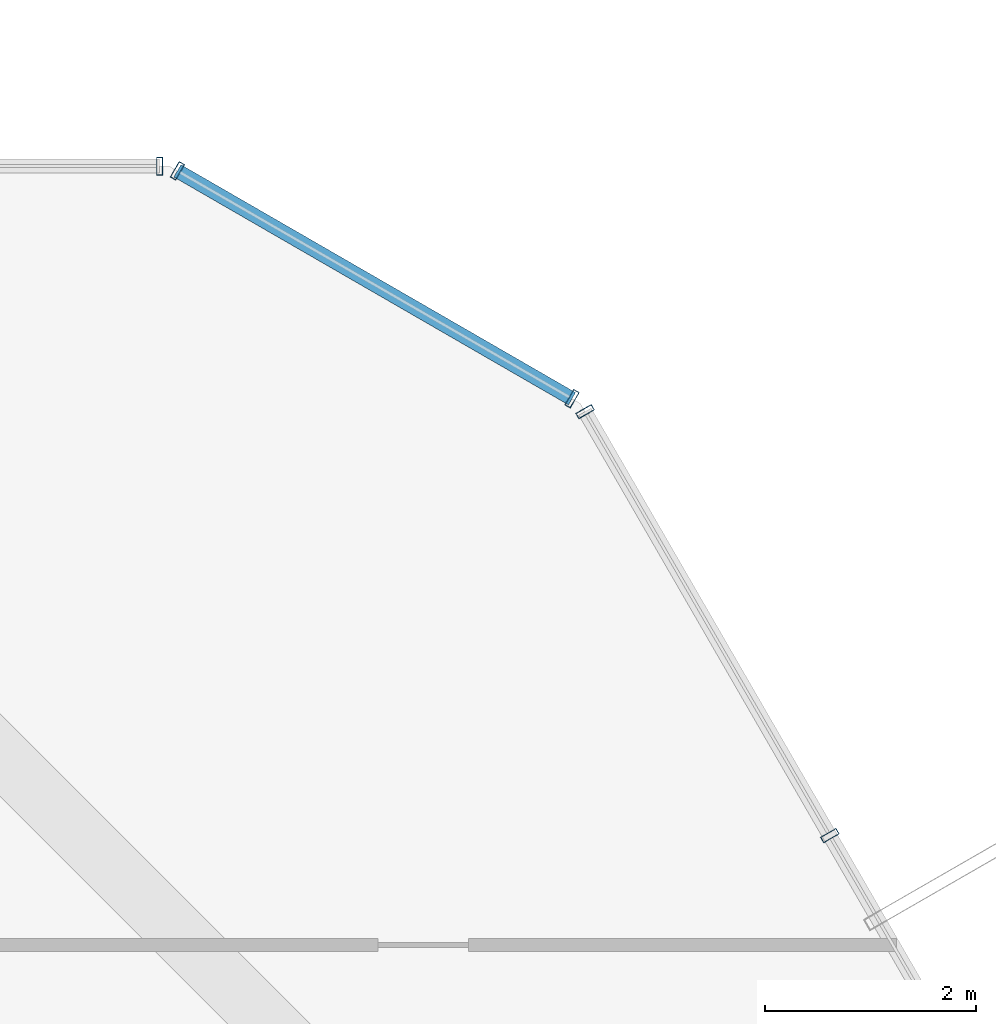
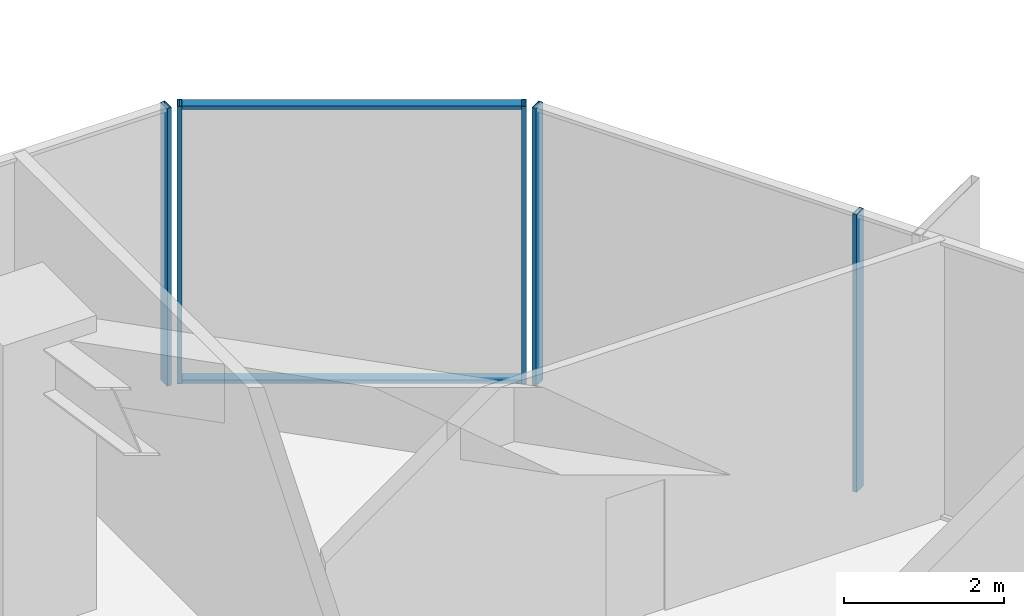
# One storey, part 31 of 39: 7 members, 3 elements without a shape of their own.
"""IFC4 building model written with IfcOpenShell, lengths in metres."""

from ifc_helpers import new_model, si_unit, direction, frame, origin, origin_2d, place, context, subcontext, project, spatial, hollow_rectangle, extrude, source, transform, mapped, material, layer, layer_set, material_profile, profile_set, type_object, element, aggregate, save


model = new_model("IFC4")

# Units and contexts
model_context = context("Model", 3, precision=1e-05, world=origin(), true_north=direction((0.0, 1.0)))
body_context = subcontext(model_context, "Body", "Model", "MODEL_VIEW")
ifc_project = project(units=[si_unit("LENGTHUNIT", "METRE"), si_unit("AREAUNIT", "SQUARE_METRE"), si_unit("VOLUMEUNIT", "CUBIC_METRE"), si_unit("PLANEANGLEUNIT", "RADIAN"), si_unit("MASSUNIT", "GRAM", prefix="KILO")], contexts=[model_context])

# Site, building, storey
site_placement = place(None, origin())
site = spatial("IfcSite", under=ifc_project, at=site_placement, CompositionType="ELEMENT")
building_placement = place(site_placement, origin())
building = spatial("IfcBuilding", under=site, at=building_placement, Name="Veraguas Prism Commons", CompositionType="ELEMENT")
storey_placement = place(building_placement, frame((0.0, 0.0, 22.800048828125)))
storey = spatial("IfcBuildingStorey", under=building, at=storey_placement, Name="L05", CompositionType="ELEMENT", Elevation=22.800048828125)

# Curtain wall, members
ifc_material = material(Name="Anodised aluminium EN AW-6063 T6", Category="aluminium")
ifc_layer = layer(ifc_material, 0.169921875, Name="Unitised Flush Curtain Wall Zone 1", Category="aluminium")
ifc_layer_set = layer_set([ifc_layer], Name="Anodised aluminium EN AW-6063 T6")
curtain_wall_type = type_object("IfcCurtainWallType", Name="Unitised Flush Curtain Wall Zone 1", PredefinedType="NOTDEFINED", material=ifc_layer_set)
curtain_wall_1_placement = place(storey_placement, origin())
curtain_wall_1 = element("IfcCurtainWall", 1, at=curtain_wall_1_placement, inside=storey, type_object=curtain_wall_type, Name="Tower Facade Curtain Wall L05-F1", PredefinedType="NOTDEFINED")
ifc_material_profile_1 = material_profile(ifc_material, hollow_rectangle(XDim=0.06005859375, YDim=0.169921875, WallThickness=0.00390625, at=origin_2d()), Name="AL60X170X4")
ifc_profile_set_1 = profile_set([ifc_material_profile_1], Name="Anodised aluminium EN AW-6063 T6")
member_type_1 = type_object("IfcMemberType", Name="Curtain Wall Mullion Lower AL 60x170x4", PredefinedType="MULLION", material=ifc_profile_set_1)
shared_shape_1 = source(origin(), body_context, "Body", "SweptSolid", [
    extrude(hollow_rectangle(XDim=0.06005859375, YDim=0.169921875, WallThickness=0.00390625, at=origin_2d()), origin(), (0.0, 0.0, 1.0), 4.25),
])
member_1_placement = place(storey_placement, frame((39.66455078125, 38.4375, 0.0), z_axis=(0.0, 0.0, 1.0), x_axis=(-0.500004534492, 0.866022785779, 0.0)))
member_1 = element("IfcMember", 2, at=member_1_placement, type_object=member_type_1, Name="CW-Z1 Mullion 4", PredefinedType="MULLION", context=body_context, shape_type="MappedRepresentation", body=[
    mapped(shared_shape_1, transform((0.0, 0.0, 0.0), scale=1.0)),
])
member_2_placement = place(storey_placement, frame((37.343994140625, 42.45654296875, 0.0), z_axis=(0.0, 0.0, 1.0), x_axis=(-0.500004534492, 0.866022785779, 0.0)))
member_2 = element("IfcMember", 3, at=member_2_placement, type_object=member_type_1, Name="CW-Z1 Mullion 5", PredefinedType="MULLION", context=body_context, shape_type="MappedRepresentation", body=[
    mapped(shared_shape_1, transform((0.0, 0.0, 0.0), scale=1.0)),
])
aggregate(curtain_wall_1, [member_1, member_2])

# Curtain wall, member
curtain_wall_2_placement = place(storey_placement, origin())
curtain_wall_2 = element("IfcCurtainWall", 4, at=curtain_wall_2_placement, inside=storey, type_object=curtain_wall_type, Name="Tower Facade Curtain Wall L05-F2", PredefinedType="NOTDEFINED")
member_3_placement = place(storey_placement, frame((33.31201171875, 44.78466796875, 0.0), z_axis=(0.0, 0.0, 1.0), x_axis=(-1.0, 0.0, 0.0)))
member_3 = element("IfcMember", 5, at=member_3_placement, type_object=member_type_1, Name="CW-Z1 Mullion 1", PredefinedType="MULLION", context=body_context, shape_type="MappedRepresentation", body=[
    mapped(shared_shape_1, transform((0.0, 0.0, 0.0), scale=1.0)),
])
aggregate(curtain_wall_2, [member_3])

# Curtain wall, members
curtain_wall_3_placement = place(storey_placement, origin())
curtain_wall_3 = element("IfcCurtainWall", 6, at=curtain_wall_3_placement, inside=storey, type_object=curtain_wall_type, Name="Chamfer Curtain Wall L05-C2", PredefinedType="NOTDEFINED")
member_4_placement = place(storey_placement, frame((37.220947265625, 42.57958984375, 0.0), z_axis=(0.0, 0.0, 1.0), x_axis=(-0.866020167749, 0.500009068969, 0.0)))
member_4 = element("IfcMember", 7, at=member_4_placement, type_object=member_type_1, Name="CW-Z1 Mullion 1", PredefinedType="MULLION", context=body_context, shape_type="MappedRepresentation", body=[
    mapped(shared_shape_1, transform((0.0, 0.0, 0.0), scale=1.0)),
])
member_5_placement = place(storey_placement, frame((33.47998046875, 44.739501953125, 0.0), z_axis=(0.0, 0.0, 1.0), x_axis=(-0.866020167749, 0.500009068969, 0.0)))
member_5 = element("IfcMember", 8, at=member_5_placement, type_object=member_type_1, Name="CW-Z1 Mullion 2", PredefinedType="MULLION", context=body_context, shape_type="MappedRepresentation", body=[
    mapped(shared_shape_1, transform((0.0, 0.0, 0.0), scale=1.0)),
])
ifc_material_profile_2 = material_profile(ifc_material, hollow_rectangle(XDim=0.054931640625, YDim=0.135009765625, WallThickness=0.0029296875, at=origin_2d()), Name="AL55X135X3")
ifc_profile_set_2 = profile_set([ifc_material_profile_2], Name="Anodised aluminium EN AW-6063 T6")
member_type_2 = type_object("IfcMemberType", Name="Curtain Wall Transom Standard AL 55x135x3", PredefinedType="USERDEFINED", material=ifc_profile_set_2)
shared_shape_2 = source(origin(), body_context, "Body", "SweptSolid", [
    extrude(hollow_rectangle(XDim=0.054931640625, YDim=0.135009765625, WallThickness=0.0029296875, at=origin_2d()), origin(), (0.0, 0.0, 1.0), 4.31982421875),
])
member_6_placement = place(storey_placement, frame((37.220947265625, 42.57958984375, 0.02734375), z_axis=(-0.866018996109, 0.500011098256, 0.0), x_axis=(0.0, 0.0, 1.0)))
member_6 = element("IfcMember", 9, at=member_6_placement, type_object=member_type_2, Name="CW-Z1 Transom 1", ObjectType="TRANSOM", PredefinedType="USERDEFINED", context=body_context, shape_type="MappedRepresentation", body=[
    mapped(shared_shape_2, transform((0.0, 0.0, 0.0), scale=1.0)),
])
member_7_placement = place(storey_placement, frame((37.220947265625, 42.57958984375, 4.222412109375), z_axis=(-0.866018996109, 0.500011098256, 0.0), x_axis=(0.0, 0.0, 1.0)))
member_7 = element("IfcMember", 10, at=member_7_placement, type_object=member_type_2, Name="CW-Z1 Transom 2", ObjectType="TRANSOM", PredefinedType="USERDEFINED", context=body_context, shape_type="MappedRepresentation", body=[
    mapped(shared_shape_2, transform((0.0, 0.0, 0.0), scale=1.0)),
])
aggregate(curtain_wall_3, [member_4, member_5, member_6, member_7])

save(model, "model.ifc")
